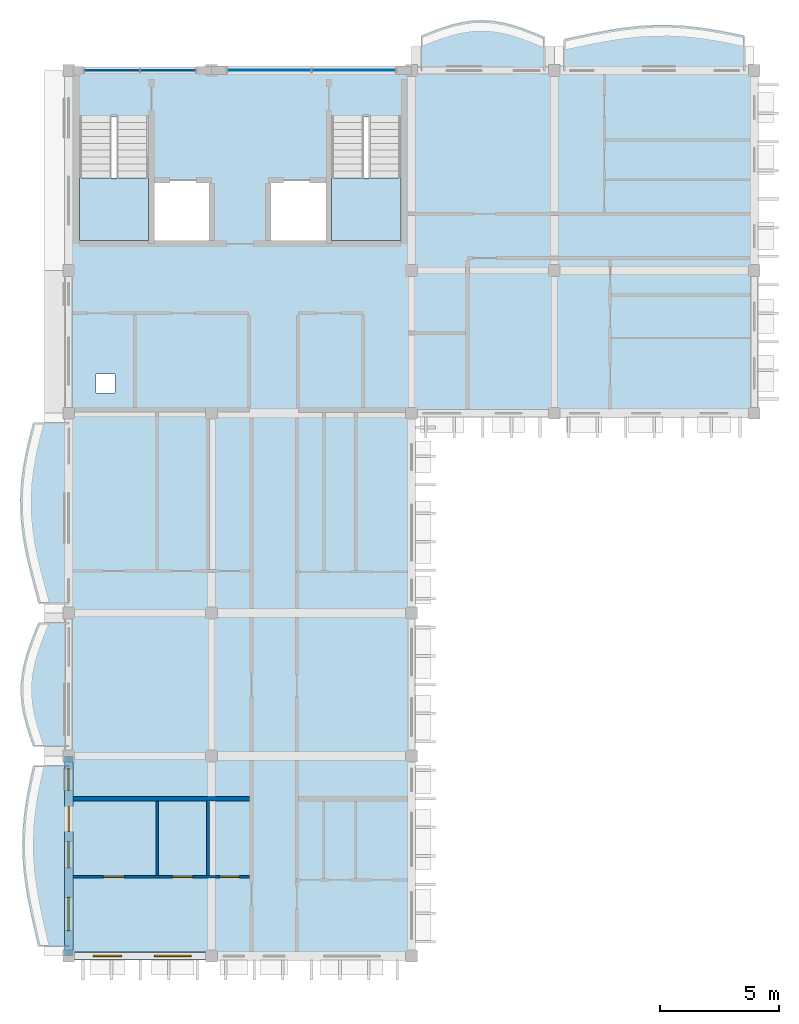
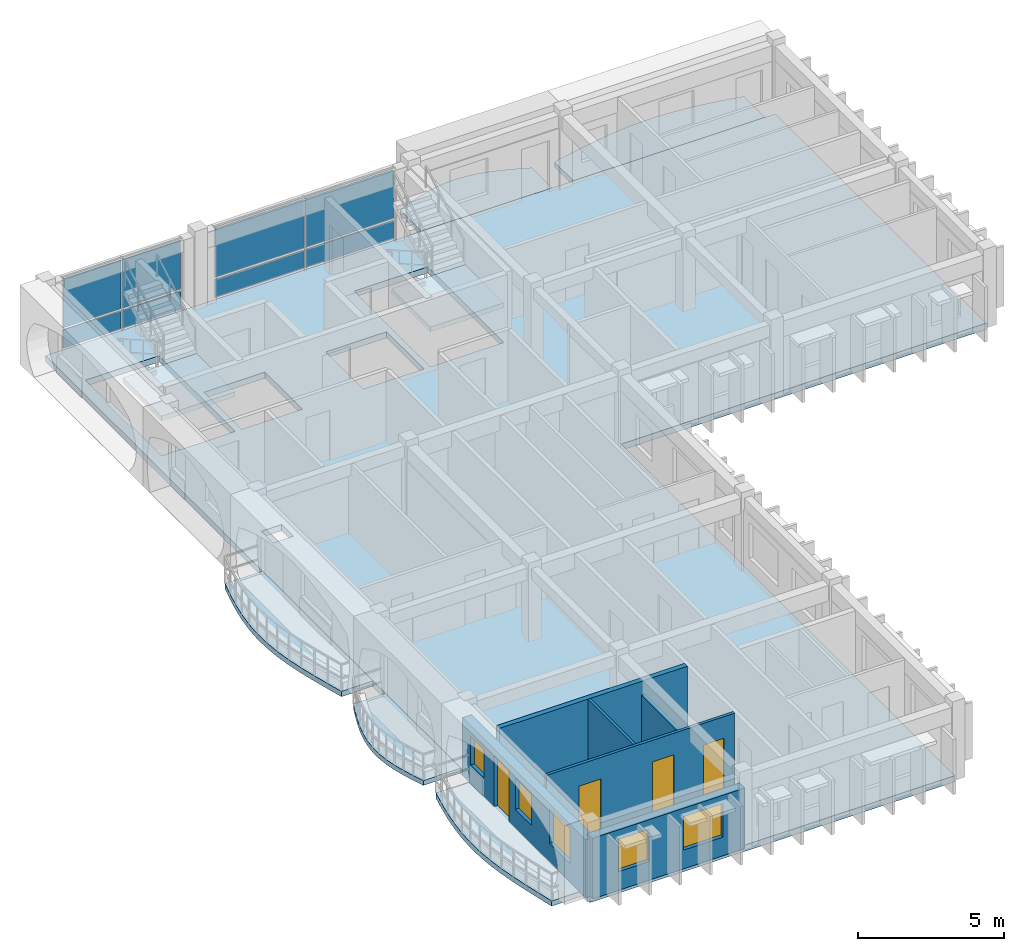
# One storey, part 3 of 11: 8 plates, 8 slabs, 6 walls, 5 windows, 4 doors, 9 openings, 4 elements without a shape of their own.
"""IFC4 building model written with IfcOpenShell, lengths in metres."""

from ifc_helpers import new_model, si_unit, direction, frame, frame_2d, origin, origin_2d, place, context, subcontext, project, spatial, polyline, rectangle, outline, extrude, material, layer, layer_set, type_object, element, fill, aggregate, save


model = new_model("IFC4")

# Units and contexts
model_context = context("Model", 3, precision=1e-05, world=origin(), true_north=direction((0.0, 1.0)))
body_context = subcontext(model_context, "Body", "Model", "MODEL_VIEW")
ifc_project = project(units=[si_unit("LENGTHUNIT", "METRE"), si_unit("AREAUNIT", "SQUARE_METRE"), si_unit("VOLUMEUNIT", "CUBIC_METRE"), si_unit("PLANEANGLEUNIT", "RADIAN"), si_unit("MASSUNIT", "GRAM", prefix="KILO"), si_unit("THERMODYNAMICTEMPERATUREUNIT", "KELVIN")], contexts=[model_context])

# Site, building, storey
site_placement = place(None, origin())
site = spatial("IfcSite", under=ifc_project, at=site_placement, CompositionType="ELEMENT")
building_placement = place(site_placement, origin())
building = spatial("IfcBuilding", under=site, at=building_placement, Name="Thalorik Housing Commons", CompositionType="ELEMENT")
storey_placement = place(building_placement, frame((0.0, 0.0, 47.699951171875)))
storey = spatial("IfcBuildingStorey", under=building, at=storey_placement, Name="L14", CompositionType="ELEMENT", Elevation=47.699951171875)

# Curtain wall, plates
ifc_material_1 = material(Name="Anodised aluminium and solar-control low-E glass", Category="aluminium")
curtain_wall_type = type_object("IfcCurtainWallType", Name="ARC-CW-CORE", PredefinedType="USERDEFINED", material=ifc_material_1)
curtain_wall_1_placement = place(storey_placement, origin())
curtain_wall_1 = element("IfcCurtainWall", 1, at=curtain_wall_1_placement, inside=storey, type_object=curtain_wall_type, Name="L14 Curtain Wall CW-CORE-L14-A-063", ObjectType="CURTAIN WALL", PredefinedType="USERDEFINED")
ifc_material_2 = material(Name="Cobalt blue enamelled aluminium spandrel panel", Category="aluminium")
ifc_layer_1 = layer(ifc_material_2, 0.0458984375, Name="Cobalt blue enamelled aluminium spandrel panel", Category="aluminium")
ifc_layer_set_1 = layer_set([ifc_layer_1], Name="Cobalt blue enamelled aluminium spandrel panel")
plate_type_1 = type_object("IfcPlateType", Name="ARC-CP-BLU-46", PredefinedType="CURTAIN_PANEL", material=ifc_layer_set_1)
plate_1_placement = place(storey_placement, frame((12.574951171875, 123.60009765625, 0.080078125), z_axis=(0.0, 0.0, 1.0), x_axis=(-1.0, 0.0, 0.0)))
plate_1 = element("IfcPlate", 2, at=plate_1_placement, type_object=plate_type_1, Name="CW-CORE-L14-A-063 Spandrel Panel 1", PredefinedType="CURTAIN_PANEL", context=body_context, shape_type="SweptSolid", body=[
    extrude(rectangle(XDim=2.2900390625, YDim=0.0458984375, at=origin_2d()), origin(), (0.0, 0.0, 1.0), 0.760009765625),
])
plate_2_placement = place(storey_placement, frame((10.22509765625, 123.60009765625, 0.080078125), z_axis=(0.0, 0.0, 1.0), x_axis=(-1.0, 0.0, 0.0)))
plate_2 = element("IfcPlate", 3, at=plate_2_placement, type_object=plate_type_1, Name="CW-CORE-L14-A-063 Spandrel Panel 2", PredefinedType="CURTAIN_PANEL", context=body_context, shape_type="SweptSolid", body=[
    extrude(rectangle(XDim=2.2900390625, YDim=0.0458984375, at=origin_2d()), origin(), (0.0, 0.0, 1.0), 0.760009765625),
])

curtain_wall_2_placement = place(storey_placement, origin())
curtain_wall_2 = element("IfcCurtainWall", 4, at=curtain_wall_2_placement, inside=storey, type_object=curtain_wall_type, Name="L14 Curtain Wall CW-CORE-L14-A-062", ObjectType="CURTAIN WALL", PredefinedType="USERDEFINED")
ifc_material_3 = material(Name="Double solar-control low-E glass", Category="glass")
ifc_layer_2 = layer(ifc_material_3, 0.028076171875, Name="Double solar-control low-E glass", Category="glass")
ifc_layer_set_2 = layer_set([ifc_layer_2], Name="Double solar-control low-E glass")
plate_type_2 = type_object("IfcPlateType", Name="ARC-CP-GLZ-28", PredefinedType="CURTAIN_PANEL", material=ifc_layer_set_2)
plate_3_placement = place(storey_placement, frame((20.375, 123.60009765625, 0.919921875), z_axis=(0.0, 0.0, 1.0), x_axis=(-1.0, 0.0, 0.0)))
plate_3 = element("IfcPlate", 5, at=plate_3_placement, type_object=plate_type_2, Name="CW-CORE-L14-A-062 Vision Panel 1", PredefinedType="CURTAIN_PANEL", context=body_context, shape_type="SweptSolid", body=[
    extrude(rectangle(XDim=3.489990234375, YDim=0.028076171875, at=origin_2d()), origin(), (0.0, 0.0, 1.0), 2.0400390625),
])
plate_4_placement = place(storey_placement, frame((16.824951171875, 123.60009765625, 0.919921875), z_axis=(0.0, 0.0, 1.0), x_axis=(-1.0, 0.0, 0.0)))
plate_4 = element("IfcPlate", 6, at=plate_4_placement, type_object=plate_type_2, Name="CW-CORE-L14-A-062 Vision Panel 2", PredefinedType="CURTAIN_PANEL", context=body_context, shape_type="SweptSolid", body=[
    extrude(rectangle(XDim=3.489990234375, YDim=0.028076171875, at=origin_2d()), origin(), (0.0, 0.0, 1.0), 2.0400390625),
])

# Plate
plate_5_placement = place(storey_placement, frame((12.574951171875, 123.60009765625, 0.919921875), z_axis=(0.0, 0.0, 1.0), x_axis=(-1.0, 0.0, 0.0)))
plate_5 = element("IfcPlate", 7, at=plate_5_placement, type_object=plate_type_2, Name="CW-CORE-L14-A-063 Vision Panel 1", PredefinedType="CURTAIN_PANEL", context=body_context, shape_type="SweptSolid", body=[
    extrude(rectangle(XDim=2.2900390625, YDim=0.028076171875, at=origin_2d()), origin(), (0.0, 0.0, 1.0), 2.0400390625),
])

plate_6_placement = place(storey_placement, frame((10.22509765625, 123.60009765625, 0.919921875), z_axis=(0.0, 0.0, 1.0), x_axis=(-1.0, 0.0, 0.0)))
plate_6 = element("IfcPlate", 8, at=plate_6_placement, type_object=plate_type_2, Name="CW-CORE-L14-A-063 Vision Panel 2", PredefinedType="CURTAIN_PANEL", context=body_context, shape_type="SweptSolid", body=[
    extrude(rectangle(XDim=2.2900390625, YDim=0.028076171875, at=origin_2d()), origin(), (0.0, 0.0, 1.0), 2.0400390625),
])

aggregate(curtain_wall_1, [plate_1, plate_5, plate_2, plate_6])

ifc_material_4 = material(Name="Oxide red enamelled aluminium spandrel panel", Category="aluminium")
ifc_layer_3 = layer(ifc_material_4, 0.0419921875, Name="Oxide red enamelled aluminium spandrel panel", Category="aluminium")
ifc_layer_set_3 = layer_set([ifc_layer_3], Name="Oxide red enamelled aluminium spandrel panel")
plate_type_3 = type_object("IfcPlateType", Name="ARC-CP-RED-42", PredefinedType="CURTAIN_PANEL", material=ifc_layer_set_3)
plate_7_placement = place(storey_placement, frame((20.375, 123.60009765625, 0.080078125), z_axis=(0.0, 0.0, 1.0), x_axis=(-1.0, 0.0, 0.0)))
plate_7 = element("IfcPlate", 9, at=plate_7_placement, type_object=plate_type_3, Name="CW-CORE-L14-A-062 Spandrel Panel 1", PredefinedType="CURTAIN_PANEL", context=body_context, shape_type="SweptSolid", body=[
    extrude(rectangle(XDim=3.489990234375, YDim=0.0419921875, at=origin_2d()), origin(), (0.0, 0.0, 1.0), 0.760009765625),
])

plate_8_placement = place(storey_placement, frame((16.824951171875, 123.60009765625, 0.080078125), z_axis=(0.0, 0.0, 1.0), x_axis=(-1.0, 0.0, 0.0)))
plate_8 = element("IfcPlate", 10, at=plate_8_placement, type_object=plate_type_3, Name="CW-CORE-L14-A-062 Spandrel Panel 2", PredefinedType="CURTAIN_PANEL", context=body_context, shape_type="SweptSolid", body=[
    extrude(rectangle(XDim=3.489990234375, YDim=0.0419921875, at=origin_2d()), origin(), (0.0, 0.0, 1.0), 0.760009765625),
])

aggregate(curtain_wall_2, [plate_7, plate_3, plate_8, plate_4])

# Stair, slab
ifc_material_5 = material(Name="Precast concrete C40/50", Category="concrete")
stair_type = type_object("IfcStairType", Name="ARC-STR-1350-R20", PredefinedType="HALF_TURN_STAIR", material=ifc_material_5)
stair_1_placement = place(storey_placement, origin())
stair_1 = element("IfcStair", 11, at=stair_1_placement, inside=storey, type_object=stair_type, Name="L14 Block A Smoke-Proof Stair 1", PredefinedType="HALF_TURN_STAIR")
ifc_layer_4 = layer(ifc_material_5, 0.199951171875, Name="Precast concrete C40/50", Category="concrete")
ifc_layer_set_4 = layer_set([ifc_layer_4], Name="Precast concrete C40/50")
slab_type_1 = type_object("IfcSlabType", Name="ARC-SLB-STLND-200", PredefinedType="LANDING", material=ifc_layer_set_4)
slab_1_placement = place(storey_placement, frame((0.0, 0.0, 1.449951171875)))
slab_1 = element("IfcSlab", 12, at=slab_1_placement, type_object=slab_type_1, Name="ST-A1 landing 1", PredefinedType="LANDING", context=body_context, shape_type="SweptSolid", body=[
    extrude(outline(polyline([(8.85009765625, 119.090087890625), (8.85009765625, 116.449951171875), (11.75, 116.449951171875), (11.75, 119.090087890625), (8.85009765625, 119.090087890625)])), origin(), (0.0, 0.0, 1.0), 0.2001953125),
])
aggregate(stair_1, [slab_1])

stair_2_placement = place(storey_placement, origin())
stair_2 = element("IfcStair", 13, at=stair_2_placement, inside=storey, type_object=stair_type, Name="L14 Block A Smoke-Proof Stair 2", PredefinedType="HALF_TURN_STAIR")
slab_2_placement = place(storey_placement, frame((0.0, 0.0, 1.449951171875)))
slab_2 = element("IfcSlab", 14, at=slab_2_placement, type_object=slab_type_1, Name="ST-A2 landing 1", PredefinedType="LANDING", context=body_context, shape_type="SweptSolid", body=[
    extrude(outline(polyline([(19.449951171875, 119.090087890625), (19.449951171875, 116.449951171875), (22.35009765625, 116.449951171875), (22.35009765625, 119.090087890625), (19.449951171875, 119.090087890625)])), origin(), (0.0, 0.0, 1.0), 0.2001953125),
])
aggregate(stair_2, [slab_2])

# Slabs
ifc_layer_5 = layer(ifc_material_5, 0.199951171875, Name="Precast concrete C40/50", Category="concrete")
ifc_layer_set_5 = layer_set([ifc_layer_5], Name="Precast concrete C40/50")
slab_type_2 = type_object("IfcSlabType", Name="STR-SLB-BALC-200", PredefinedType="FLOOR", material=ifc_layer_set_5)
slab_3_placement = place(storey_placement, frame((0.0, 0.0, -0.199951171875)))
element("IfcSlab", 15, at=slab_3_placement, inside=storey, type_object=slab_type_2, Name="L14 Block A Cushion Balcony 91", PredefinedType="FLOOR", context=body_context, shape_type="SweptSolid", body=[
    extrude(outline(polyline([(23.219970703125, 123.60009765625), (28.3798828125, 123.60009765625), (28.3798828125, 124.99072265625), (27.949951171875, 125.17041015625), (27.52001953125, 125.338134765625), (27.090087890625, 125.482421875), (26.659912109375, 125.5947265625), (26.22998046875, 125.667236328125), (25.800048828125, 125.69580078125), (25.3701171875, 125.6787109375), (24.93994140625, 125.6171875), (24.510009765625, 125.515380859375), (24.080078125, 125.380126953125), (23.64990234375, 125.22021484375), (23.219970703125, 125.04638671875), (23.219970703125, 123.60009765625)])), origin(), (0.0, 0.0, 1.0), 0.199951171875),
])
slab_4_placement = place(storey_placement, frame((0.0, 0.0, -0.199951171875)))
element("IfcSlab", 16, at=slab_4_placement, inside=storey, type_object=slab_type_2, Name="L14 Block A Cushion Balcony 94", PredefinedType="FLOOR", context=body_context, shape_type="SweptSolid", body=[
    extrude(outline(polyline([(8.39990234375, 95.219970703125), (8.39990234375, 100.3798828125), (7.130859375, 100.3798828125), (6.95849609375, 99.949951171875), (6.794189453125, 99.52001953125), (6.648193359375, 99.090087890625), (6.52978515625, 98.659912109375), (6.446533203125, 98.22998046875), (6.403564453125, 97.800048828125), (6.402587890625, 97.3701171875), (6.443359375, 96.93994140625), (6.522216796875, 96.510009765625), (6.63330078125, 96.080078125), (6.768310546875, 95.64990234375), (6.917724609375, 95.219970703125), (8.39990234375, 95.219970703125)])), origin(), (0.0, 0.0, 1.0), 0.199951171875),
])
ifc_layer_6 = layer(ifc_material_5, 0.219970703125, Name="Precast concrete C40/50", Category="concrete")
ifc_layer_set_6 = layer_set([ifc_layer_6], Name="Precast concrete C40/50")
slab_type_3 = type_object("IfcSlabType", Name="STR-SLB-BALC-220", PredefinedType="FLOOR", material=ifc_layer_set_6)
slab_5_placement = place(storey_placement, frame((0.0, 0.0, -0.219970703125)))
element("IfcSlab", 17, at=slab_5_placement, inside=storey, type_object=slab_type_3, Name="L14 Block A Cushion Balcony 92", PredefinedType="FLOOR", context=body_context, shape_type="SweptSolid", body=[
    extrude(outline(polyline([(29.219970703125, 123.60009765625), (36.780029296875, 123.60009765625), (36.780029296875, 125.048583984375), (36.14990234375, 125.179931640625), (35.52001953125, 125.296630859375), (34.889892578125, 125.390869140625), (34.260009765625, 125.456298828125), (33.6298828125, 125.489013671875), (33.0, 125.486572265625), (32.3701171875, 125.44970703125), (31.739990234375, 125.380615234375), (31.110107421875, 125.284423828125), (30.47998046875, 125.16748046875), (29.85009765625, 125.037841796875), (29.219970703125, 124.904296875), (29.219970703125, 123.60009765625)])), origin(), (0.0, 0.0, 1.0), 0.219970703125),
])
slab_6_placement = place(storey_placement, frame((0.0, 0.0, -0.219970703125)))
element("IfcSlab", 18, at=slab_6_placement, inside=storey, type_object=slab_type_3, Name="L14 Block A Cushion Balcony 93", PredefinedType="FLOOR", context=body_context, shape_type="SweptSolid", body=[
    extrude(outline(polyline([(8.39990234375, 86.820068359375), (8.39990234375, 94.3798828125), (6.923583984375, 94.3798828125), (6.783203125, 93.75), (6.66015625, 93.1201171875), (6.56298828125, 92.489990234375), (6.497802734375, 91.860107421875), (6.468994140625, 91.22998046875), (6.478515625, 90.60009765625), (6.525146484375, 89.969970703125), (6.605712890625, 89.340087890625), (6.71435546875, 88.7099609375), (6.84375, 88.080078125), (6.9853515625, 87.449951171875), (7.129150390625, 86.820068359375), (8.39990234375, 86.820068359375)])), origin(), (0.0, 0.0, 1.0), 0.219970703125),
])
slab_7_placement = place(storey_placement, frame((0.0, 0.0, -0.219970703125)))
element("IfcSlab", 19, at=slab_7_placement, inside=storey, type_object=slab_type_3, Name="L14 Block A Cushion Balcony 95", PredefinedType="FLOOR", context=body_context, shape_type="SweptSolid", body=[
    extrude(outline(polyline([(8.39990234375, 101.219970703125), (8.39990234375, 108.780029296875), (6.918701171875, 108.780029296875), (6.75390625, 108.14990234375), (6.608642578125, 107.52001953125), (6.492919921875, 106.889892578125), (6.414794921875, 106.260009765625), (6.37890625, 105.6298828125), (6.38818359375, 105.0), (6.44140625, 104.3701171875), (6.534912109375, 103.739990234375), (6.661865234375, 103.110107421875), (6.8134765625, 102.47998046875), (6.979248046875, 101.85009765625), (7.14794921875, 101.219970703125), (8.39990234375, 101.219970703125)])), origin(), (0.0, 0.0, 1.0), 0.219970703125),
])
ifc_material_6 = material(Name="Precast concrete C45/55", Category="concrete")
ifc_layer_7 = layer(ifc_material_6, 0.260009765625, Name="Precast concrete C45/55", Category="concrete")
ifc_layer_set_7 = layer_set([ifc_layer_7], Name="Precast concrete C45/55")
slab_type_4 = type_object("IfcSlabType", Name="STR-SLB-HC-260", PredefinedType="FLOOR", material=ifc_layer_set_7)
slab_8_placement = place(storey_placement, frame((0.0, 0.0, -0.260009765625)))
element("IfcSlab", 20, at=slab_8_placement, inside=storey, type_object=slab_type_4, Name="L14 Residential Block A Floor Slab", PredefinedType="FLOOR", context=body_context, shape_type="SweptSolid", body=[
    extrude(outline(polyline([(8.39990234375, 123.60009765625), (8.39990234375, 109.199951171875), (8.39990234375, 86.39990234375), (22.800048828125, 86.39990234375), (22.800048828125, 109.199951171875), (37.199951171875, 109.199951171875), (37.199951171875, 123.60009765625), (8.39990234375, 123.60009765625)]), holes=[polyline([(8.85009765625, 121.64990234375), (11.75, 121.64990234375), (11.75, 116.449951171875), (8.85009765625, 116.449951171875), (8.85009765625, 121.64990234375)]), polyline([(22.35009765625, 121.64990234375), (22.35009765625, 116.449951171875), (19.449951171875, 116.449951171875), (19.449951171875, 121.64990234375), (22.35009765625, 121.64990234375)]), polyline([(14.39990234375, 119.0), (14.39990234375, 116.449951171875), (12.0, 116.449951171875), (12.0, 119.0), (14.39990234375, 119.0)]), polyline([(19.199951171875, 116.449951171875), (16.800048828125, 116.449951171875), (16.800048828125, 119.0), (19.199951171875, 119.0), (19.199951171875, 116.449951171875)]), polyline([(9.550048828125, 110.050048828125), (9.550048828125, 110.85009765625), (10.35009765625, 110.85009765625), (10.35009765625, 110.050048828125), (9.550048828125, 110.050048828125)])]), origin(), (0.0, 0.0, 1.0), 0.260009765625),
])

# Wall, openings, door, windows
ifc_material_7 = material(Name="White precast concrete C40/50", Category="concrete")
ifc_layer_8 = layer(ifc_material_7, 0.35009765625, Name="White precast concrete C40/50", Category="concrete")
ifc_layer_set_8 = layer_set([ifc_layer_8], Name="White precast concrete C40/50")
wall_type_1 = type_object("IfcWallType", Name="ARC-WAL-EXT-350", PredefinedType="STANDARD", material=ifc_layer_set_8)
wall_1_placement = place(storey_placement, frame((8.39990234375, 94.800048828125, 0.0), z_axis=(0.0, 0.0, 1.0), x_axis=(0.0, -1.0, 0.0)))
wall_1 = element("IfcWall", 21, at=wall_1_placement, inside=storey, type_object=wall_type_1, Name="L14 Exterior Wall WAL-EXT-L14-A-0345", PredefinedType="STANDARD", context=body_context, shape_type="SweptSolid", body=[
    extrude(rectangle(XDim=8.400146484375, YDim=0.35009765625, at=frame_2d((4.2001953125, 0.0))), origin(), (0.0, 0.0, 1.0), 2.425048828125),
])
opening_1_placement = place(wall_1_placement, frame((2.1298828125, 0.0, 0.0)))
opening_1 = element("IfcOpeningElement", 22, at=opening_1_placement, cuts=wall_1, Name="Opening ED-0110", PredefinedType="OPENING", context=body_context, shape_type="SweptSolid", body=[
    extrude(rectangle(XDim=1.050048828125, YDim=2.14990234375, at=frame_2d((0.52490234375, 1.074951171875))), frame((0.0, 0.18505859375, 0.0), z_axis=(0.0, -1.0, 0.0), x_axis=(1.0, 0.0, 0.0)), (0.0, 0.0, 1.0), 0.3701171875),
])
opening_2_placement = place(wall_1_placement, frame((0.544921875, 0.0, 0.780029296875)))
opening_2 = element("IfcOpeningElement", 23, at=opening_2_placement, cuts=wall_1, Name="Opening W-01", PredefinedType="OPENING", context=body_context, shape_type="SweptSolid", body=[
    extrude(rectangle(XDim=0.89990234375, YDim=1.199951171875, at=frame_2d((0.449951171875, 0.60009765625))), frame((0.0, 0.18505859375, 0.0), z_axis=(0.0, -1.0, 0.0), x_axis=(1.0, 0.0, 0.0)), (0.0, 0.0, 1.0), 0.3701171875),
])
opening_3_placement = place(wall_1_placement, frame((3.60009765625, 0.0, 0.780029296875)))
opening_3 = element("IfcOpeningElement", 24, at=opening_3_placement, cuts=wall_1, Name="Opening W-03", PredefinedType="OPENING", context=body_context, shape_type="SweptSolid", body=[
    extrude(rectangle(XDim=1.10009765625, YDim=1.300048828125, at=frame_2d((0.550048828125, 0.64990234375))), frame((0.0, 0.18505859375, 0.0), z_axis=(0.0, -1.0, 0.0), x_axis=(1.0, 0.0, 0.0)), (0.0, 0.0, 1.0), 0.3701171875),
])
opening_4_placement = place(wall_1_placement, frame((5.93994140625, 0.0, 0.780029296875)))
opening_4 = element("IfcOpeningElement", 25, at=opening_4_placement, cuts=wall_1, Name="Opening W-08", PredefinedType="OPENING", context=body_context, shape_type="SweptSolid", body=[
    extrude(rectangle(XDim=1.39990234375, YDim=1.449951171875, at=frame_2d((0.699951171875, 0.72509765625))), frame((0.0, 0.18505859375, 0.0), z_axis=(0.0, -1.0, 0.0), x_axis=(1.0, 0.0, 0.0)), (0.0, 0.0, 1.0), 0.3701171875),
])
ifc_material_8 = material(Name="Anodised aluminium and laminated safety glass", Category="aluminium")
door_type_1 = type_object("IfcDoorType", Name="ARC-DR-BAL-1050", OperationType="NOTDEFINED", PredefinedType="DOOR", material=ifc_material_8)
door_1_placement = place(opening_1_placement, frame((1.050048828125, 0.0, 0.0), z_axis=(0.0, 0.0, 1.0), x_axis=(-1.0, 0.0, 0.0)))
door_1 = element("IfcDoor", 26, at=door_1_placement, inside=storey, type_object=door_type_1, Name="L14 Block A Balcony Glazed Door", OperationType="SINGLE_SWING_LEFT", OverallHeight=2.14990234375, OverallWidth=1.050048828125, PredefinedType="DOOR", context=body_context, shape_type="SweptSolid", body=[
    extrude(rectangle(XDim=1.050048828125, YDim=2.14990234375, at=frame_2d((0.52490234375, 1.074951171875))), frame((0.0, 0.02490234375, 0.0), z_axis=(0.0, -1.0, 0.0), x_axis=(1.0, 0.0, 0.0)), (0.0, 0.0, 1.0), 0.050048828125),
])
fill(opening_1, door_1)
window_type_1 = type_object("IfcWindowType", Name="ARC-WIN-01", PartitioningType="SINGLE_PANEL", PredefinedType="WINDOW", material=ifc_material_1)
window_1_placement = place(opening_2_placement, origin())
window_1 = element("IfcWindow", 27, at=window_1_placement, inside=storey, type_object=window_type_1, Name="L14 Facade Window 614", OverallHeight=1.199951171875, OverallWidth=0.89990234375, PartitioningType="SINGLE_PANEL", PredefinedType="WINDOW", context=body_context, shape_type="SweptSolid", body=[
    extrude(rectangle(XDim=0.89990234375, YDim=1.199951171875, at=frame_2d((0.449951171875, 0.60009765625))), frame((0.0, 0.030029296875, 0.0), z_axis=(0.0, -1.0, 0.0), x_axis=(1.0, 0.0, 0.0)), (0.0, 0.0, 1.0), 0.06005859375),
])
fill(opening_2, window_1)
window_type_2 = type_object("IfcWindowType", Name="ARC-WIN-03", PartitioningType="SINGLE_PANEL", PredefinedType="WINDOW", material=ifc_material_1)
window_2_placement = place(opening_3_placement, origin())
window_2 = element("IfcWindow", 28, at=window_2_placement, inside=storey, type_object=window_type_2, Name="L14 Facade Window 615", OverallHeight=1.300048828125, OverallWidth=1.10009765625, PartitioningType="SINGLE_PANEL", PredefinedType="WINDOW", context=body_context, shape_type="SweptSolid", body=[
    extrude(rectangle(XDim=1.10009765625, YDim=1.300048828125, at=frame_2d((0.550048828125, 0.64990234375))), frame((0.0, 0.030029296875, 0.0), z_axis=(0.0, -1.0, 0.0), x_axis=(1.0, 0.0, 0.0)), (0.0, 0.0, 1.0), 0.06005859375),
])
fill(opening_3, window_2)
window_type_3 = type_object("IfcWindowType", Name="ARC-WIN-08", PartitioningType="SINGLE_PANEL", PredefinedType="WINDOW", material=ifc_material_1)
window_3_placement = place(opening_4_placement, origin())
window_3 = element("IfcWindow", 29, at=window_3_placement, inside=storey, type_object=window_type_3, Name="L14 Facade Window 616", OverallHeight=1.449951171875, OverallWidth=1.39990234375, PartitioningType="SINGLE_PANEL", PredefinedType="WINDOW", context=body_context, shape_type="SweptSolid", body=[
    extrude(rectangle(XDim=1.39990234375, YDim=1.449951171875, at=frame_2d((0.699951171875, 0.72509765625))), frame((0.0, 0.030029296875, 0.0), z_axis=(0.0, -1.0, 0.0), x_axis=(1.0, 0.0, 0.0)), (0.0, 0.0, 1.0), 0.06005859375),
])
fill(opening_4, window_3)

# Wall, openings, windows
wall_2_placement = place(storey_placement, frame((8.39990234375, 86.39990234375, 0.0), z_axis=(0.0, 0.0, 1.0), x_axis=(1.0, 0.0, 0.0)))
wall_2 = element("IfcWall", 30, at=wall_2_placement, inside=storey, type_object=wall_type_1, Name="L14 Exterior Wall WAL-EXT-L14-A-0346", PredefinedType="STANDARD", context=body_context, shape_type="SweptSolid", body=[
    extrude(rectangle(XDim=6.0, YDim=0.35009765625, at=frame_2d((3.0, 0.0))), origin(), (0.0, 0.0, 1.0), 2.525146484375),
])
opening_5_placement = place(wall_2_placement, frame((1.030029296875, 0.0, 0.780029296875)))
opening_5 = element("IfcOpeningElement", 31, at=opening_5_placement, cuts=wall_2, Name="Opening W-04", PredefinedType="OPENING", context=body_context, shape_type="SweptSolid", body=[
    extrude(rectangle(XDim=1.199951171875, YDim=1.35009765625, at=frame_2d((0.60009765625, 0.675048828125))), frame((0.0, 0.18505859375, 0.0), z_axis=(0.0, -1.0, 0.0), x_axis=(1.0, 0.0, 0.0)), (0.0, 0.0, 1.0), 0.3701171875),
])
opening_6_placement = place(wall_2_placement, frame((3.594970703125, 0.0, 0.780029296875)))
opening_6 = element("IfcOpeningElement", 32, at=opening_6_placement, cuts=wall_2, Name="Opening W-12", PredefinedType="OPENING", context=body_context, shape_type="SweptSolid", body=[
    extrude(rectangle(XDim=1.550048828125, YDim=1.39990234375, at=frame_2d((0.77490234375, 0.699951171875))), frame((0.0, 0.18505859375, 0.0), z_axis=(0.0, -1.0, 0.0), x_axis=(1.0, 0.0, 0.0)), (0.0, 0.0, 1.0), 0.3701171875),
])
window_type_4 = type_object("IfcWindowType", Name="ARC-WIN-04", PartitioningType="SINGLE_PANEL", PredefinedType="WINDOW", material=ifc_material_1)
window_4_placement = place(opening_5_placement, origin())
window_4 = element("IfcWindow", 33, at=window_4_placement, inside=storey, type_object=window_type_4, Name="L14 Facade Window 617", OverallHeight=1.35009765625, OverallWidth=1.199951171875, PartitioningType="SINGLE_PANEL", PredefinedType="WINDOW", context=body_context, shape_type="SweptSolid", body=[
    extrude(rectangle(XDim=1.199951171875, YDim=1.35009765625, at=frame_2d((0.60009765625, 0.675048828125))), frame((0.0, 0.030029296875, 0.0), z_axis=(0.0, -1.0, 0.0), x_axis=(1.0, 0.0, 0.0)), (0.0, 0.0, 1.0), 0.06005859375),
])
fill(opening_5, window_4)
window_type_5 = type_object("IfcWindowType", Name="ARC-WIN-12", PartitioningType="SINGLE_PANEL", PredefinedType="WINDOW", material=ifc_material_1)
window_5_placement = place(opening_6_placement, origin())
window_5 = element("IfcWindow", 34, at=window_5_placement, inside=storey, type_object=window_type_5, Name="L14 Facade Window 618", OverallHeight=1.39990234375, OverallWidth=1.550048828125, PartitioningType="SINGLE_PANEL", PredefinedType="WINDOW", context=body_context, shape_type="SweptSolid", body=[
    extrude(rectangle(XDim=1.550048828125, YDim=1.39990234375, at=frame_2d((0.77490234375, 0.699951171875))), frame((0.0, 0.030029296875, 0.0), z_axis=(0.0, -1.0, 0.0), x_axis=(1.0, 0.0, 0.0)), (0.0, 0.0, 1.0), 0.06005859375),
])
fill(opening_6, window_5)

# Wall
ifc_material_9 = material(Name="Gypsum light stud partition", Category="masonry")
ifc_layer_9 = layer(ifc_material_9, 0.10009765625, Name="Gypsum light stud partition", Category="masonry")
ifc_layer_set_9 = layer_set([ifc_layer_9], Name="Gypsum light stud partition")
wall_type_2 = type_object("IfcWallType", Name="ARC-WAL-PART-100", PredefinedType="PARTITIONING", material=ifc_layer_set_9)
wall_3_placement = place(storey_placement, frame((12.11767578125, 89.78955078125, 0.0), z_axis=(0.0, 0.0, 1.0), x_axis=(0.0, 1.0, 0.0)))
element("IfcWall", 35, at=wall_3_placement, inside=storey, type_object=wall_type_2, Name="L14 Unit 1 Bedroom Partition", PredefinedType="PARTITIONING", context=body_context, shape_type="SweptSolid", body=[
    extrude(rectangle(XDim=3.1083984375, YDim=0.10009765625, at=frame_2d((1.55419921875, 0.0))), origin(), (0.0, 0.0, 1.0), 3.0),
])

# Wall, openings, doors
ifc_material_10 = material(Name="Gypsum moisture-resistant partition", Category="masonry")
ifc_layer_10 = layer(ifc_material_10, 0.114990234375, Name="Gypsum moisture-resistant partition", Category="masonry")
ifc_layer_set_10 = layer_set([ifc_layer_10], Name="Gypsum moisture-resistant partition")
wall_type_3 = type_object("IfcWallType", Name="ARC-WAL-PART-115", PredefinedType="PARTITIONING", material=ifc_layer_set_10)
wall_4_placement = place(storey_placement, frame((8.576904296875, 89.72998046875, 0.0), z_axis=(0.0, 0.0, 1.0), x_axis=(1.0, 0.0, 0.0)))
wall_4 = element("IfcWall", 36, at=wall_4_placement, inside=storey, type_object=wall_type_3, Name="L14 Unit 1 Spine Partition", PredefinedType="PARTITIONING", context=body_context, shape_type="SweptSolid", body=[
    extrude(rectangle(XDim=7.418701171875, YDim=0.114990234375, at=frame_2d((3.70947265625, 0.0))), origin(), (0.0, 0.0, 1.0), 3.0),
])
opening_7_placement = place(wall_4_placement, frame((1.286865234375, 0.0, 0.0)))
opening_7 = element("IfcOpeningElement", 37, at=opening_7_placement, cuts=wall_4, Name="Opening ID-0957", PredefinedType="OPENING", context=body_context, shape_type="SweptSolid", body=[
    extrude(rectangle(XDim=0.85009765625, YDim=2.10009765625, at=frame_2d((0.425048828125, 1.050048828125))), frame((0.0, 0.0673828125, 0.0), z_axis=(0.0, -1.0, 0.0), x_axis=(1.0, 0.0, 0.0)), (0.0, 0.0, 1.0), 0.135009765625),
])
opening_8_placement = place(wall_4_placement, frame((4.182373046875, 0.0, 0.0)))
opening_8 = element("IfcOpeningElement", 38, at=opening_8_placement, cuts=wall_4, Name="Opening ID-0958", PredefinedType="OPENING", context=body_context, shape_type="SweptSolid", body=[
    extrude(rectangle(XDim=0.85009765625, YDim=2.10009765625, at=frame_2d((0.425048828125, 1.050048828125))), frame((0.0, 0.0673828125, 0.0), z_axis=(0.0, -1.0, 0.0), x_axis=(1.0, 0.0, 0.0)), (0.0, 0.0, 1.0), 0.135009765625),
])
opening_9_placement = place(wall_4_placement, frame((6.188720703125, 0.0, 0.0)))
opening_9 = element("IfcOpeningElement", 39, at=opening_9_placement, cuts=wall_4, Name="Opening ID-0959", PredefinedType="OPENING", context=body_context, shape_type="SweptSolid", body=[
    extrude(rectangle(XDim=0.800048828125, YDim=2.10009765625, at=frame_2d((0.39990234375, 1.050048828125))), frame((0.0, 0.0673828125, 0.0), z_axis=(0.0, -1.0, 0.0), x_axis=(1.0, 0.0, 0.0)), (0.0, 0.0, 1.0), 0.135009765625),
])
ifc_material_11 = material(Name="Moisture-resistant timber", Category="wood")
door_type_2 = type_object("IfcDoorType", Name="ARC-DR-INT-800", OperationType="NOTDEFINED", PredefinedType="DOOR", material=ifc_material_11)
door_2_placement = place(opening_9_placement, origin())
door_2 = element("IfcDoor", 40, at=door_2_placement, inside=storey, type_object=door_type_2, Name="L14 Flat Bathroom Door", OperationType="SINGLE_SWING_RIGHT", OverallHeight=2.10009765625, OverallWidth=0.800048828125, PredefinedType="DOOR", context=body_context, shape_type="SweptSolid", body=[
    extrude(rectangle(XDim=0.800048828125, YDim=2.10009765625, at=frame_2d((0.39990234375, 1.050048828125))), frame((0.0, 0.02490234375, 0.0), z_axis=(0.0, -1.0, 0.0), x_axis=(1.0, 0.0, 0.0)), (0.0, 0.0, 1.0), 0.050048828125),
])
fill(opening_9, door_2)
ifc_material_12 = material(Name="Engineered oak timber", Category="wood")
door_type_3 = type_object("IfcDoorType", Name="ARC-DR-INT-850", OperationType="NOTDEFINED", PredefinedType="DOOR", material=ifc_material_12)
door_3_placement = place(opening_7_placement, origin())
door_3 = element("IfcDoor", 41, at=door_3_placement, inside=storey, type_object=door_type_3, Name="L14 Double Bedroom Door", OperationType="SINGLE_SWING_RIGHT", OverallHeight=2.10009765625, OverallWidth=0.85009765625, PredefinedType="DOOR", context=body_context, shape_type="SweptSolid", body=[
    extrude(rectangle(XDim=0.85009765625, YDim=2.10009765625, at=frame_2d((0.425048828125, 1.050048828125))), frame((0.0, 0.02490234375, 0.0), z_axis=(0.0, -1.0, 0.0), x_axis=(1.0, 0.0, 0.0)), (0.0, 0.0, 1.0), 0.050048828125),
])
fill(opening_7, door_3)
door_4_placement = place(opening_8_placement, origin())
door_4 = element("IfcDoor", 42, at=door_4_placement, inside=storey, type_object=door_type_3, Name="L14 Galley Kitchen Door", OperationType="SINGLE_SWING_LEFT", OverallHeight=2.10009765625, OverallWidth=0.85009765625, PredefinedType="DOOR", context=body_context, shape_type="SweptSolid", body=[
    extrude(rectangle(XDim=0.85009765625, YDim=2.10009765625, at=frame_2d((0.425048828125, 1.050048828125))), frame((0.0, 0.02490234375, 0.0), z_axis=(0.0, -1.0, 0.0), x_axis=(1.0, 0.0, 0.0)), (0.0, 0.0, 1.0), 0.050048828125),
])
fill(opening_8, door_4)

# Walls
ifc_material_13 = material(Name="Ceramic masonry partition wall", Category="masonry")
ifc_layer_11 = layer(ifc_material_13, 0.139892578125, Name="Ceramic masonry partition wall", Category="masonry")
ifc_layer_set_11 = layer_set([ifc_layer_11], Name="Ceramic masonry partition wall")
wall_type_4 = type_object("IfcWallType", Name="ARC-WAL-PART-140", PredefinedType="PARTITIONING", material=ifc_layer_set_11)
wall_5_placement = place(storey_placement, frame((14.251220703125, 89.78955078125, 0.0), z_axis=(0.0, 0.0, 1.0), x_axis=(0.0, 1.0, 0.0)))
element("IfcWall", 43, at=wall_5_placement, inside=storey, type_object=wall_type_4, Name="L14 Unit 1 Wet Wall", PredefinedType="PARTITIONING", context=body_context, shape_type="SweptSolid", body=[
    extrude(rectangle(XDim=3.1083984375, YDim=0.139892578125, at=frame_2d((1.55419921875, 0.0))), origin(), (0.0, 0.0, 1.0), 2.425048828125),
])
ifc_material_14 = material(Name="Precast concrete C40/50 acoustic wall", Category="concrete")
ifc_layer_12 = layer(ifc_material_14, 0.199951171875, Name="Precast concrete C40/50 acoustic wall", Category="concrete")
ifc_layer_set_12 = layer_set([ifc_layer_12], Name="Precast concrete C40/50 acoustic wall")
wall_type_5 = type_object("IfcWallType", Name="ARC-WAL-PARTY-200", PredefinedType="PARTITIONING", material=ifc_layer_set_12)
wall_6_placement = place(storey_placement, frame((8.576904296875, 93.0, 0.0), z_axis=(0.0, 0.0, 1.0), x_axis=(1.0, 0.0, 0.0)))
element("IfcWall", 44, at=wall_6_placement, inside=storey, type_object=wall_type_5, Name="L14 Inter-Tenancy Wall 1A", PredefinedType="PARTITIONING", context=body_context, shape_type="SweptSolid", body=[
    extrude(rectangle(XDim=7.418701171875, YDim=0.199951171875, at=frame_2d((3.70947265625, 0.0))), origin(), (0.0, 0.0, 1.0), 3.0),
])

save(model, "model.ifc")
